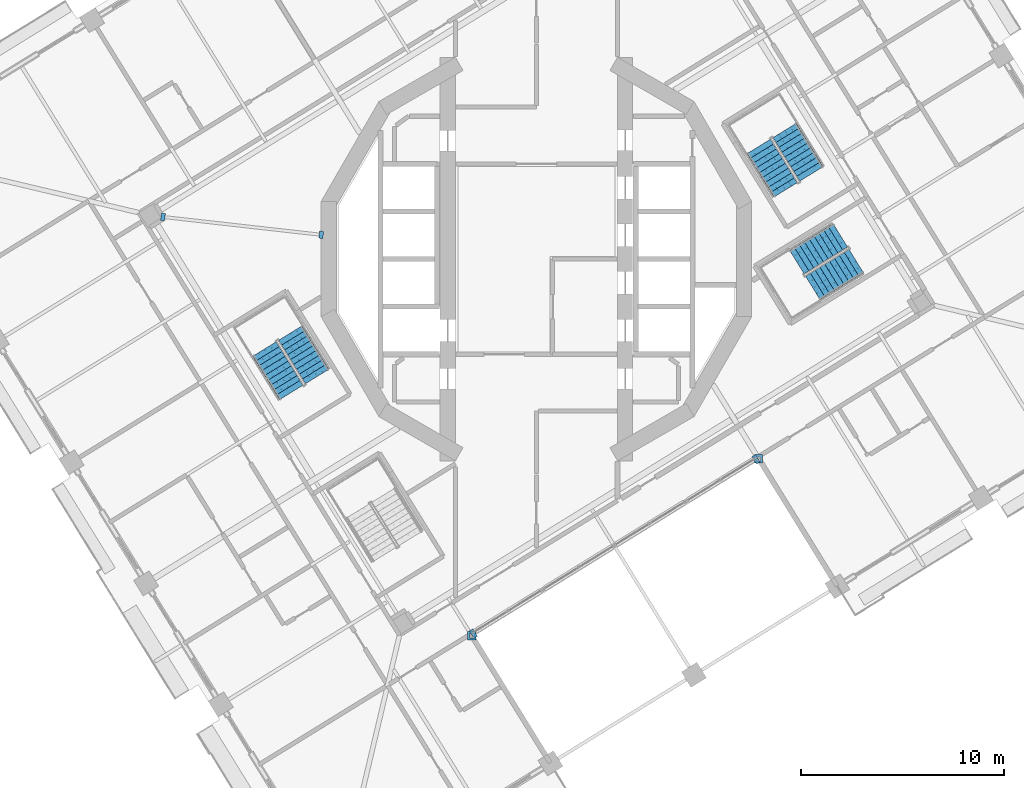
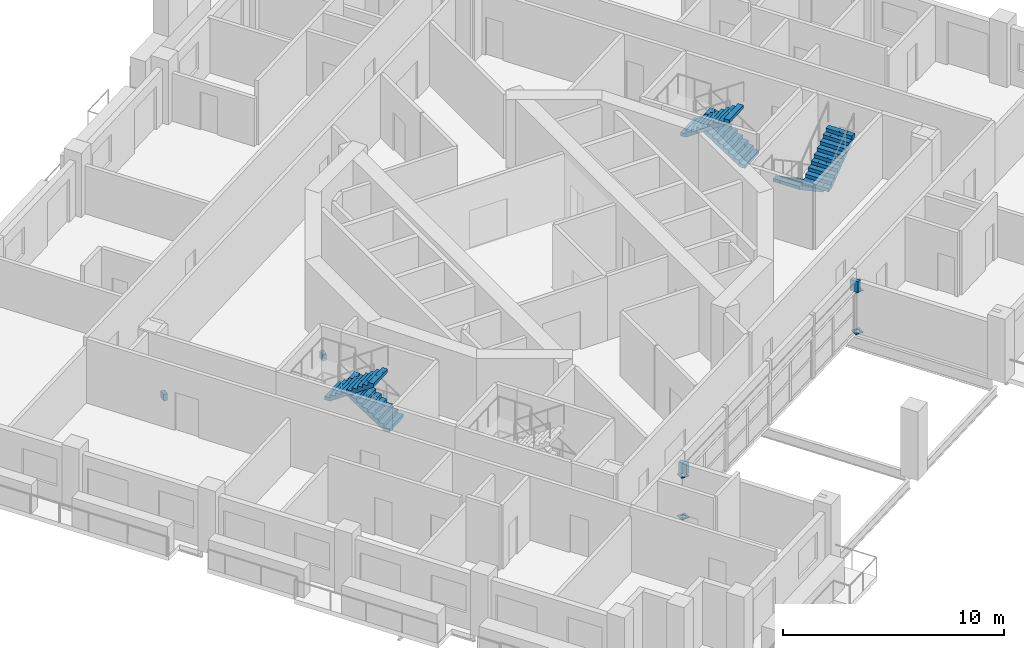
# One storey, part 15 of 22: 8 discrete accessories, 6 stair flights, 3 elements without a shape of their own.
"""IFC4 building model written with IfcOpenShell, lengths in metres."""

import ifcopenshell
import ifcopenshell.guid

model = None  # the IFC model being written
_history = None  # IfcOwnerHistory: only IFC2X3 demands one
_inside = {}  # id of a spatial element -> (the spatial element, [elements in it])
_under = {}  # id of a project, library or spatial element -> (it, [spatial elements below it])
_declared = {}  # id of a project -> (the project, [libraries it declares])
_typed = {}  # id of a type object -> (the type object, [elements of that type])
_made_of = {}  # id of a material, layer set ... -> (it, [elements and type objects made of it])


def new_model(schema):
    """Start an empty IFC model of exactly this schema.

    Asked for "IFC4X3", IfcOpenShell would pick the latest addendum, in which some entities
    have other attributes; the version numbers below select the first issue.
    IFC2X3 requires an IfcOwnerHistory on every rooted entity: one is made here for all.
    """
    global model, _history
    if schema == "IFC4X3":
        model = ifcopenshell.file(schema_version=(4, 3, 0, 0))
    else:
        model = ifcopenshell.file(schema=schema)
    _inside.clear()
    _under.clear()
    _declared.clear()
    _typed.clear()
    _made_of.clear()
    _history = None
    if model.schema == "IFC2X3":
        org = make("IfcOrganization", Name="unknown")
        user = make(
            "IfcPersonAndOrganization",
            ThePerson=make("IfcPerson", FamilyName="unknown"),
            TheOrganization=org,
        )
        app = make(
            "IfcApplication",
            ApplicationDeveloper=org,
            Version="unknown",
            ApplicationFullName="unknown",
            ApplicationIdentifier="unknown",
        )
        _history = make(
            "IfcOwnerHistory",
            OwningUser=user,
            OwningApplication=app,
            ChangeAction="ADDED",
            CreationDate=0,
        )
    return model


def make(cls, **values):
    """One entity of the class cls with the attributes given. An attribute that is None is left unset."""
    return model.create_entity(
        cls, **{name: value for name, value in values.items() if value is not None}
    )


def rooted(cls, **values):
    """An entity with a GlobalId (a new one), such as an element, a storey or a relation."""
    return make(cls, GlobalId=ifcopenshell.guid.new(), OwnerHistory=_history, **values)


def si_unit(unit_type, name, prefix=None):
    """IfcSIUnit, for example si_unit("LENGTHUNIT", "METRE", prefix="MILLI")."""
    return make("IfcSIUnit", UnitType=unit_type, Prefix=prefix, Name=name)


def assignment(units):
    """IfcUnitAssignment: the units of a project."""
    return None if units is None else make("IfcUnitAssignment", Units=units)


def point(xyz):
    """IfcCartesianPoint."""
    return None if xyz is None else make("IfcCartesianPoint", Coordinates=xyz)


def direction(xyz):
    """IfcDirection."""
    return None if xyz is None else make("IfcDirection", DirectionRatios=xyz)


def frame(location, z_axis=None, x_axis=None):
    """IfcAxis2Placement3D, a coordinate frame: its origin and axes. An axis left out is left unset."""
    return make(
        "IfcAxis2Placement3D",
        Location=point(location),
        Axis=direction(z_axis),
        RefDirection=direction(x_axis),
    )


def origin():
    """The frame at (0, 0, 0) with its axes left unset."""
    return frame((0.0, 0.0, 0.0))


def place(relative_to, where):
    """IfcLocalPlacement: puts the frame where relative to a parent placement (None: the world)."""
    return make(
        "IfcLocalPlacement", PlacementRelTo=relative_to, RelativePlacement=where
    )


def context(
    kind, dimensions, precision=None, world=None, true_north=None, identifier=None
):
    """IfcGeometricRepresentationContext, for example the 3D "Model" context."""
    return make(
        "IfcGeometricRepresentationContext",
        ContextIdentifier=identifier,
        ContextType=kind,
        CoordinateSpaceDimension=dimensions,
        Precision=precision,
        WorldCoordinateSystem=world,
        TrueNorth=true_north,
    )


def subcontext(parent, identifier, kind, view, scale=None):
    """IfcGeometricRepresentationSubContext, for example "Body" below "Model"."""
    return make(
        "IfcGeometricRepresentationSubContext",
        ContextIdentifier=identifier,
        ContextType=kind,
        ParentContext=parent,
        TargetScale=scale,
        TargetView=view,
    )


def project(units=None, contexts=None):
    """IfcProject with its units and contexts."""
    return rooted(
        "IfcProject",
        Name="project",
        RepresentationContexts=contexts,
        UnitsInContext=assignment(units),
    )


def spatial(cls, under=None, at=None, **own):
    """A site, building, storey or space (cls), placed at a placement, below another one or the project."""
    s = rooted(cls, ObjectPlacement=at, **own)
    if under is not None:
        _under.setdefault(under.id(), (under, []))[1].append(s)
    return s


def polyline(points):
    """IfcPolyline through the points."""
    return make("IfcPolyline", Points=[point(p) for p in points])


def outline(outer, holes=None, kind="AREA"):
    """IfcArbitraryClosedProfileDef: a profile drawn as a closed curve; with holes, ...WithVoids."""
    if holes is None:
        return make("IfcArbitraryClosedProfileDef", ProfileType=kind, OuterCurve=outer)
    return make(
        "IfcArbitraryProfileDefWithVoids",
        ProfileType=kind,
        OuterCurve=outer,
        InnerCurves=holes,
    )


def extrude(swept, where, along, depth):
    """IfcExtrudedAreaSolid: the profile swept, set in the frame where, extruded along a direction by depth."""
    return make(
        "IfcExtrudedAreaSolid",
        SweptArea=swept,
        Position=where,
        ExtrudedDirection=direction(along),
        Depth=depth,
    )


def shape(context_of_items, identifier, shape_type, items):
    """IfcShapeRepresentation: the items that make up one representation, for example the "Body"."""
    return make(
        "IfcShapeRepresentation",
        ContextOfItems=context_of_items,
        RepresentationIdentifier=identifier,
        RepresentationType=shape_type,
        Items=items,
    )


def material(Name=None, Category=None):
    """IfcMaterial."""
    return make("IfcMaterial", Name=Name, Category=Category)


def layer(
    of_material, thickness, ventilated=None, Name=None, Category=None, Priority=None
):
    """IfcMaterialLayer: one layer of a wall or slab, of a material (None: an air gap)."""
    return make(
        "IfcMaterialLayer",
        Material=of_material,
        LayerThickness=thickness,
        IsVentilated=ventilated,
        Name=Name,
        Category=Category,
        Priority=Priority,
    )


def layer_set(layers, Name=None):
    """IfcMaterialLayerSet."""
    return make("IfcMaterialLayerSet", MaterialLayers=layers, LayerSetName=Name)


def made_of(thing, what):
    """Note that an element or type object is made of a material, layer set ...; save() writes the relation."""
    if what is not None:
        _made_of.setdefault(what.id(), (what, []))[1].append(thing)
    return thing


def type_object(cls, material=None, **own):
    """A type object (cls), such as IfcWallType, which elements share."""
    return made_of(rooted(cls, **own), material)


def element(
    cls,
    number,
    at=None,
    inside=None,
    cuts=None,
    type_object=None,
    material=None,
    context=None,
    identifier="Body",
    shape_type=None,
    held_by="IfcProductDefinitionShape",
    body=None,
    shapes=None,
    **own,
):
    """One element of the class cls, such as IfcWall. Its Tag is "e" and its number.

    at: its placement. inside: the storey or other place that contains it. cuts: it is an
    opening in that element (IfcRelVoidsElement). A single representation is given by context,
    identifier, shape_type and body (its items); several are given by shapes. held_by: the class
    of the entity that holds the representations. save() writes the other relations.
    """
    e = rooted(cls, Tag="e%d" % number, ObjectPlacement=at, **own)
    if body is not None:
        shapes = [shape(context, identifier, shape_type, body)]
    if shapes is not None:
        e.Representation = make(held_by, Representations=shapes)
    if inside is not None:
        _inside.setdefault(inside.id(), (inside, []))[1].append(e)
    if cuts is not None:
        rooted(
            "IfcRelVoidsElement", RelatingBuildingElement=cuts, RelatedOpeningElement=e
        )
    if type_object is not None:
        _typed.setdefault(type_object.id(), (type_object, []))[1].append(e)
    return made_of(e, material)


def aggregate(whole, parts):
    """IfcRelAggregates: a whole, such as a stair, and the parts it consists of."""
    return rooted("IfcRelAggregates", RelatingObject=whole, RelatedObjects=parts)


def save(model, path):
    """Write the relations noted so far, then the file.

    IfcRelAggregates (storeys below a building ...), IfcRelContainedInSpatialStructure (elements
    in a storey), IfcRelDefinesByType, IfcRelAssociatesMaterial and IfcRelDeclares: one each for
    every whole, place, type object, material and project.
    """
    for whole, parts in _under.values():
        aggregate(whole, parts)
    for where, things in _inside.values():
        rooted(
            "IfcRelContainedInSpatialStructure",
            RelatedElements=things,
            RelatingStructure=where,
        )
    for kind, things in _typed.values():
        rooted("IfcRelDefinesByType", RelatedObjects=things, RelatingType=kind)
    for what, things in _made_of.values():
        rooted("IfcRelAssociatesMaterial", RelatedObjects=things, RelatingMaterial=what)
    for by, libraries in _declared.values():
        rooted("IfcRelDeclares", RelatingContext=by, RelatedDefinitions=libraries)
    model.write(path)


model = new_model("IFC4")

# Units and contexts
model_context = context("Model", 3, precision=1e-05, world=origin(), true_north=direction((0.0, 1.0)))
body_context = subcontext(model_context, "Body", "Model", "MODEL_VIEW")
ifc_project = project(units=[si_unit("LENGTHUNIT", "METRE"), si_unit("AREAUNIT", "SQUARE_METRE"), si_unit("VOLUMEUNIT", "CUBIC_METRE"), si_unit("PLANEANGLEUNIT", "RADIAN"), si_unit("MASSUNIT", "GRAM", prefix="KILO")], contexts=[model_context])

# Site, building, storey
site_placement = place(None, origin())
site = spatial("IfcSite", under=ifc_project, at=site_placement, CompositionType="ELEMENT")
building_placement = place(site_placement, origin())
building = spatial("IfcBuilding", under=site, at=building_placement, Name="Cantera Rosa Tower", CompositionType="ELEMENT")
storey_placement = place(building_placement, frame((0.0, 0.0, 178.0)))
storey = spatial("IfcBuildingStorey", under=building, at=storey_placement, Name="L39", CompositionType="ELEMENT", Elevation=178.0)

# Stair, stair flights
ifc_material_1 = material(Name="Concrete C35/45", Category="concrete")
stair_type = type_object("IfcStairType", Name="EXIT STAIR 1350 DOGLEG", PredefinedType="HALF_TURN_STAIR", material=ifc_material_1)
stair_1_placement = place(storey_placement, origin())
stair_1 = element("IfcStair", 1, at=stair_1_placement, inside=storey, type_object=stair_type, Name="L39 ST-31", PredefinedType="HALF_TURN_STAIR")
ifc_material_2 = material(Name="Concrete C35/45", Category="concrete")
stair_flight_type = type_object("IfcStairFlightType", Name="STAIR FLIGHT 1350 R20x190", PredefinedType="STRAIGHT", material=ifc_material_2)
stair_flight_1_placement = place(storey_placement, frame((13.5732421875, 4.2021484375, 0.0), z_axis=(0.0, 0.0, 1.0), x_axis=(-0.524976585286, 0.851116669383, 0.0)))
stair_flight_1 = element("IfcStairFlight", 2, at=stair_flight_1_placement, type_object=stair_flight_type, Name="ST-31 flight 1", NumberOfRisers=10, NumberOfTreads=9, PredefinedType="STRAIGHT", RiserHeight=0.19, TreadLength=0.28, context=body_context, shape_type="SweptSolid", body=[
    extrude(outline(polyline([(0.0, 0.0), (0.0, 0.18994140625), (0.280029296875, 0.18994140625), (0.280029296875, 0.3798828125), (0.56005859375, 0.3798828125), (0.56005859375, 0.570068359375), (0.840087890625, 0.570068359375), (0.840087890625, 0.760009765625), (1.1201171875, 0.760009765625), (1.1201171875, 0.949951171875), (1.39990234375, 0.949951171875), (1.39990234375, 1.139892578125), (1.679931640625, 1.139892578125), (1.679931640625, 1.330078125), (1.9599609375, 1.330078125), (1.9599609375, 1.52001953125), (2.239990234375, 1.52001953125), (2.239990234375, 1.7099609375), (2.52001953125, 1.7099609375), (2.52001953125, 1.89990234375), (2.52001953125, 1.52880859375), (0.266845703125, 0.0), (0.0, 0.0)])), frame((0.0, 0.675048828125, 0.0), z_axis=(0.0, -1.0, 0.0), x_axis=(1.0, 0.0, 0.0)), (0.0, 0.0, 1.0), 0.3359375),
    extrude(outline(polyline([(0.0, 0.0), (0.0, 0.18994140625), (0.280029296875, 0.18994140625), (0.280029296875, 0.3798828125), (0.56005859375, 0.3798828125), (0.56005859375, 0.570068359375), (0.840087890625, 0.570068359375), (0.840087890625, 0.760009765625), (1.1201171875, 0.760009765625), (1.1201171875, 0.949951171875), (1.39990234375, 0.949951171875), (1.39990234375, 1.139892578125), (1.679931640625, 1.139892578125), (1.679931640625, 1.330078125), (1.9599609375, 1.330078125), (1.9599609375, 1.52001953125), (2.239990234375, 1.52001953125), (2.239990234375, 1.7099609375), (2.52001953125, 1.7099609375), (2.52001953125, 1.89990234375), (2.52001953125, 1.52880859375), (0.266845703125, 0.0), (0.0, 0.0)])), frame((0.0, 0.337158203125, 0.0), z_axis=(0.0, -1.0, 0.0), x_axis=(1.0, 0.0, 0.0)), (0.0, 0.0, 1.0), 0.3359375),
    extrude(outline(polyline([(0.0, 0.0), (0.0, 0.18994140625), (0.280029296875, 0.18994140625), (0.280029296875, 0.3798828125), (0.56005859375, 0.3798828125), (0.56005859375, 0.570068359375), (0.840087890625, 0.570068359375), (0.840087890625, 0.760009765625), (1.1201171875, 0.760009765625), (1.1201171875, 0.949951171875), (1.39990234375, 0.949951171875), (1.39990234375, 1.139892578125), (1.679931640625, 1.139892578125), (1.679931640625, 1.330078125), (1.9599609375, 1.330078125), (1.9599609375, 1.52001953125), (2.239990234375, 1.52001953125), (2.239990234375, 1.7099609375), (2.52001953125, 1.7099609375), (2.52001953125, 1.89990234375), (2.52001953125, 1.52880859375), (0.266845703125, 0.0), (0.0, 0.0)])), frame((0.0, -0.000732421875, 0.0), z_axis=(0.0, -1.0, 0.0), x_axis=(1.0, 0.0, 0.0)), (0.0, 0.0, 1.0), 0.3359375),
    extrude(outline(polyline([(0.0, 0.0), (0.0, 0.18994140625), (0.280029296875, 0.18994140625), (0.280029296875, 0.3798828125), (0.56005859375, 0.3798828125), (0.56005859375, 0.570068359375), (0.840087890625, 0.570068359375), (0.840087890625, 0.760009765625), (1.1201171875, 0.760009765625), (1.1201171875, 0.949951171875), (1.39990234375, 0.949951171875), (1.39990234375, 1.139892578125), (1.679931640625, 1.139892578125), (1.679931640625, 1.330078125), (1.9599609375, 1.330078125), (1.9599609375, 1.52001953125), (2.239990234375, 1.52001953125), (2.239990234375, 1.7099609375), (2.52001953125, 1.7099609375), (2.52001953125, 1.89990234375), (2.52001953125, 1.52880859375), (0.266845703125, 0.0), (0.0, 0.0)])), frame((0.0, -0.338623046875, 0.0), z_axis=(0.0, -1.0, 0.0), x_axis=(1.0, 0.0, 0.0)), (0.0, 0.0, 1.0), 0.3359375),
])
stair_flight_2_placement = place(storey_placement, frame((10.9736328125, 5.5595703125, 1.89990234375), z_axis=(0.0, 0.0, 1.0), x_axis=(0.524976585286, -0.851116669383, 0.0)))
stair_flight_2 = element("IfcStairFlight", 3, at=stair_flight_2_placement, type_object=stair_flight_type, Name="ST-31 flight 2", NumberOfRisers=10, NumberOfTreads=9, PredefinedType="STRAIGHT", RiserHeight=0.19, TreadLength=0.28, context=body_context, shape_type="SweptSolid", body=[
    extrude(outline(polyline([(0.0, 0.0), (0.0, 0.18994140625), (0.280029296875, 0.18994140625), (0.280029296875, 0.3798828125), (0.56005859375, 0.3798828125), (0.56005859375, 0.570068359375), (0.840087890625, 0.570068359375), (0.840087890625, 0.760009765625), (1.1201171875, 0.760009765625), (1.1201171875, 0.949951171875), (1.39990234375, 0.949951171875), (1.39990234375, 1.139892578125), (1.679931640625, 1.139892578125), (1.679931640625, 1.330078125), (1.9599609375, 1.330078125), (1.9599609375, 1.52001953125), (2.239990234375, 1.52001953125), (2.239990234375, 1.7099609375), (2.52001953125, 1.7099609375), (2.52001953125, 1.89990234375), (2.52001953125, 1.52880859375), (0.266845703125, 0.0), (0.0, 0.0)])), frame((0.0, 0.675048828125, 0.0), z_axis=(0.0, -1.0, 0.0), x_axis=(1.0, 0.0, 0.0)), (0.0, 0.0, 1.0), 0.3359375),
    extrude(outline(polyline([(0.0, 0.0), (0.0, 0.18994140625), (0.280029296875, 0.18994140625), (0.280029296875, 0.3798828125), (0.56005859375, 0.3798828125), (0.56005859375, 0.570068359375), (0.840087890625, 0.570068359375), (0.840087890625, 0.760009765625), (1.1201171875, 0.760009765625), (1.1201171875, 0.949951171875), (1.39990234375, 0.949951171875), (1.39990234375, 1.139892578125), (1.679931640625, 1.139892578125), (1.679931640625, 1.330078125), (1.9599609375, 1.330078125), (1.9599609375, 1.52001953125), (2.239990234375, 1.52001953125), (2.239990234375, 1.7099609375), (2.52001953125, 1.7099609375), (2.52001953125, 1.89990234375), (2.52001953125, 1.52880859375), (0.266845703125, 0.0), (0.0, 0.0)])), frame((0.0, 0.337158203125, 0.0), z_axis=(0.0, -1.0, 0.0), x_axis=(1.0, 0.0, 0.0)), (0.0, 0.0, 1.0), 0.3359375),
    extrude(outline(polyline([(0.0, 0.0), (0.0, 0.18994140625), (0.280029296875, 0.18994140625), (0.280029296875, 0.3798828125), (0.56005859375, 0.3798828125), (0.56005859375, 0.570068359375), (0.840087890625, 0.570068359375), (0.840087890625, 0.760009765625), (1.1201171875, 0.760009765625), (1.1201171875, 0.949951171875), (1.39990234375, 0.949951171875), (1.39990234375, 1.139892578125), (1.679931640625, 1.139892578125), (1.679931640625, 1.330078125), (1.9599609375, 1.330078125), (1.9599609375, 1.52001953125), (2.239990234375, 1.52001953125), (2.239990234375, 1.7099609375), (2.52001953125, 1.7099609375), (2.52001953125, 1.89990234375), (2.52001953125, 1.52880859375), (0.266845703125, 0.0), (0.0, 0.0)])), frame((0.0, -0.000732421875, 0.0), z_axis=(0.0, -1.0, 0.0), x_axis=(1.0, 0.0, 0.0)), (0.0, 0.0, 1.0), 0.3359375),
    extrude(outline(polyline([(0.0, 0.0), (0.0, 0.18994140625), (0.280029296875, 0.18994140625), (0.280029296875, 0.3798828125), (0.56005859375, 0.3798828125), (0.56005859375, 0.570068359375), (0.840087890625, 0.570068359375), (0.840087890625, 0.760009765625), (1.1201171875, 0.760009765625), (1.1201171875, 0.949951171875), (1.39990234375, 0.949951171875), (1.39990234375, 1.139892578125), (1.679931640625, 1.139892578125), (1.679931640625, 1.330078125), (1.9599609375, 1.330078125), (1.9599609375, 1.52001953125), (2.239990234375, 1.52001953125), (2.239990234375, 1.7099609375), (2.52001953125, 1.7099609375), (2.52001953125, 1.89990234375), (2.52001953125, 1.52880859375), (0.266845703125, 0.0), (0.0, 0.0)])), frame((0.0, -0.338623046875, 0.0), z_axis=(0.0, -1.0, 0.0), x_axis=(1.0, 0.0, 0.0)), (0.0, 0.0, 1.0), 0.3359375),
])
aggregate(stair_1, [stair_flight_1, stair_flight_2])

stair_2_placement = place(storey_placement, origin())
stair_2 = element("IfcStair", 4, at=stair_2_placement, inside=storey, type_object=stair_type, Name="L39 ST-32", PredefinedType="HALF_TURN_STAIR")
stair_flight_3_placement = place(storey_placement, frame((-10.82666015625, -5.7978515625, 0.0), z_axis=(0.0, 0.0, 1.0), x_axis=(-0.524976585286, 0.851116669383, 0.0)))
stair_flight_3 = element("IfcStairFlight", 5, at=stair_flight_3_placement, type_object=stair_flight_type, Name="ST-32 flight 1", NumberOfRisers=10, NumberOfTreads=9, PredefinedType="STRAIGHT", RiserHeight=0.19, TreadLength=0.28, context=body_context, shape_type="SweptSolid", body=[
    extrude(outline(polyline([(0.0, 0.0), (0.0, 0.18994140625), (0.280029296875, 0.18994140625), (0.280029296875, 0.3798828125), (0.56005859375, 0.3798828125), (0.56005859375, 0.570068359375), (0.840087890625, 0.570068359375), (0.840087890625, 0.760009765625), (1.1201171875, 0.760009765625), (1.1201171875, 0.949951171875), (1.39990234375, 0.949951171875), (1.39990234375, 1.139892578125), (1.679931640625, 1.139892578125), (1.679931640625, 1.330078125), (1.9599609375, 1.330078125), (1.9599609375, 1.52001953125), (2.239990234375, 1.52001953125), (2.239990234375, 1.7099609375), (2.52001953125, 1.7099609375), (2.52001953125, 1.89990234375), (2.52001953125, 1.52880859375), (0.266845703125, 0.0), (0.0, 0.0)])), frame((0.0, 0.675048828125, 0.0), z_axis=(0.0, -1.0, 0.0), x_axis=(1.0, 0.0, 0.0)), (0.0, 0.0, 1.0), 0.3359375),
    extrude(outline(polyline([(0.0, 0.0), (0.0, 0.18994140625), (0.280029296875, 0.18994140625), (0.280029296875, 0.3798828125), (0.56005859375, 0.3798828125), (0.56005859375, 0.570068359375), (0.840087890625, 0.570068359375), (0.840087890625, 0.760009765625), (1.1201171875, 0.760009765625), (1.1201171875, 0.949951171875), (1.39990234375, 0.949951171875), (1.39990234375, 1.139892578125), (1.679931640625, 1.139892578125), (1.679931640625, 1.330078125), (1.9599609375, 1.330078125), (1.9599609375, 1.52001953125), (2.239990234375, 1.52001953125), (2.239990234375, 1.7099609375), (2.52001953125, 1.7099609375), (2.52001953125, 1.89990234375), (2.52001953125, 1.52880859375), (0.266845703125, 0.0), (0.0, 0.0)])), frame((0.0, 0.337158203125, 0.0), z_axis=(0.0, -1.0, 0.0), x_axis=(1.0, 0.0, 0.0)), (0.0, 0.0, 1.0), 0.3359375),
    extrude(outline(polyline([(0.0, 0.0), (0.0, 0.18994140625), (0.280029296875, 0.18994140625), (0.280029296875, 0.3798828125), (0.56005859375, 0.3798828125), (0.56005859375, 0.570068359375), (0.840087890625, 0.570068359375), (0.840087890625, 0.760009765625), (1.1201171875, 0.760009765625), (1.1201171875, 0.949951171875), (1.39990234375, 0.949951171875), (1.39990234375, 1.139892578125), (1.679931640625, 1.139892578125), (1.679931640625, 1.330078125), (1.9599609375, 1.330078125), (1.9599609375, 1.52001953125), (2.239990234375, 1.52001953125), (2.239990234375, 1.7099609375), (2.52001953125, 1.7099609375), (2.52001953125, 1.89990234375), (2.52001953125, 1.52880859375), (0.266845703125, 0.0), (0.0, 0.0)])), frame((0.0, -0.000732421875, 0.0), z_axis=(0.0, -1.0, 0.0), x_axis=(1.0, 0.0, 0.0)), (0.0, 0.0, 1.0), 0.3359375),
    extrude(outline(polyline([(0.0, 0.0), (0.0, 0.18994140625), (0.280029296875, 0.18994140625), (0.280029296875, 0.3798828125), (0.56005859375, 0.3798828125), (0.56005859375, 0.570068359375), (0.840087890625, 0.570068359375), (0.840087890625, 0.760009765625), (1.1201171875, 0.760009765625), (1.1201171875, 0.949951171875), (1.39990234375, 0.949951171875), (1.39990234375, 1.139892578125), (1.679931640625, 1.139892578125), (1.679931640625, 1.330078125), (1.9599609375, 1.330078125), (1.9599609375, 1.52001953125), (2.239990234375, 1.52001953125), (2.239990234375, 1.7099609375), (2.52001953125, 1.7099609375), (2.52001953125, 1.89990234375), (2.52001953125, 1.52880859375), (0.266845703125, 0.0), (0.0, 0.0)])), frame((0.0, -0.338623046875, 0.0), z_axis=(0.0, -1.0, 0.0), x_axis=(1.0, 0.0, 0.0)), (0.0, 0.0, 1.0), 0.3359375),
])
stair_flight_4_placement = place(storey_placement, frame((-13.42626953125, -4.4404296875, 1.89990234375), z_axis=(0.0, 0.0, 1.0), x_axis=(0.524976585286, -0.851116669383, 0.0)))
stair_flight_4 = element("IfcStairFlight", 6, at=stair_flight_4_placement, type_object=stair_flight_type, Name="ST-32 flight 2", NumberOfRisers=10, NumberOfTreads=9, PredefinedType="STRAIGHT", RiserHeight=0.19, TreadLength=0.28, context=body_context, shape_type="SweptSolid", body=[
    extrude(outline(polyline([(0.0, 0.0), (0.0, 0.18994140625), (0.280029296875, 0.18994140625), (0.280029296875, 0.3798828125), (0.56005859375, 0.3798828125), (0.56005859375, 0.570068359375), (0.840087890625, 0.570068359375), (0.840087890625, 0.760009765625), (1.1201171875, 0.760009765625), (1.1201171875, 0.949951171875), (1.39990234375, 0.949951171875), (1.39990234375, 1.139892578125), (1.679931640625, 1.139892578125), (1.679931640625, 1.330078125), (1.9599609375, 1.330078125), (1.9599609375, 1.52001953125), (2.239990234375, 1.52001953125), (2.239990234375, 1.7099609375), (2.52001953125, 1.7099609375), (2.52001953125, 1.89990234375), (2.52001953125, 1.52880859375), (0.266845703125, 0.0), (0.0, 0.0)])), frame((0.0, 0.675048828125, 0.0), z_axis=(0.0, -1.0, 0.0), x_axis=(1.0, 0.0, 0.0)), (0.0, 0.0, 1.0), 0.3359375),
    extrude(outline(polyline([(0.0, 0.0), (0.0, 0.18994140625), (0.280029296875, 0.18994140625), (0.280029296875, 0.3798828125), (0.56005859375, 0.3798828125), (0.56005859375, 0.570068359375), (0.840087890625, 0.570068359375), (0.840087890625, 0.760009765625), (1.1201171875, 0.760009765625), (1.1201171875, 0.949951171875), (1.39990234375, 0.949951171875), (1.39990234375, 1.139892578125), (1.679931640625, 1.139892578125), (1.679931640625, 1.330078125), (1.9599609375, 1.330078125), (1.9599609375, 1.52001953125), (2.239990234375, 1.52001953125), (2.239990234375, 1.7099609375), (2.52001953125, 1.7099609375), (2.52001953125, 1.89990234375), (2.52001953125, 1.52880859375), (0.266845703125, 0.0), (0.0, 0.0)])), frame((0.0, 0.337158203125, 0.0), z_axis=(0.0, -1.0, 0.0), x_axis=(1.0, 0.0, 0.0)), (0.0, 0.0, 1.0), 0.3359375),
    extrude(outline(polyline([(0.0, 0.0), (0.0, 0.18994140625), (0.280029296875, 0.18994140625), (0.280029296875, 0.3798828125), (0.56005859375, 0.3798828125), (0.56005859375, 0.570068359375), (0.840087890625, 0.570068359375), (0.840087890625, 0.760009765625), (1.1201171875, 0.760009765625), (1.1201171875, 0.949951171875), (1.39990234375, 0.949951171875), (1.39990234375, 1.139892578125), (1.679931640625, 1.139892578125), (1.679931640625, 1.330078125), (1.9599609375, 1.330078125), (1.9599609375, 1.52001953125), (2.239990234375, 1.52001953125), (2.239990234375, 1.7099609375), (2.52001953125, 1.7099609375), (2.52001953125, 1.89990234375), (2.52001953125, 1.52880859375), (0.266845703125, 0.0), (0.0, 0.0)])), frame((0.0, -0.000732421875, 0.0), z_axis=(0.0, -1.0, 0.0), x_axis=(1.0, 0.0, 0.0)), (0.0, 0.0, 1.0), 0.3359375),
    extrude(outline(polyline([(0.0, 0.0), (0.0, 0.18994140625), (0.280029296875, 0.18994140625), (0.280029296875, 0.3798828125), (0.56005859375, 0.3798828125), (0.56005859375, 0.570068359375), (0.840087890625, 0.570068359375), (0.840087890625, 0.760009765625), (1.1201171875, 0.760009765625), (1.1201171875, 0.949951171875), (1.39990234375, 0.949951171875), (1.39990234375, 1.139892578125), (1.679931640625, 1.139892578125), (1.679931640625, 1.330078125), (1.9599609375, 1.330078125), (1.9599609375, 1.52001953125), (2.239990234375, 1.52001953125), (2.239990234375, 1.7099609375), (2.52001953125, 1.7099609375), (2.52001953125, 1.89990234375), (2.52001953125, 1.52880859375), (0.266845703125, 0.0), (0.0, 0.0)])), frame((0.0, -0.338623046875, 0.0), z_axis=(0.0, -1.0, 0.0), x_axis=(1.0, 0.0, 0.0)), (0.0, 0.0, 1.0), 0.3359375),
])
aggregate(stair_2, [stair_flight_3, stair_flight_4])

stair_3_placement = place(storey_placement, origin())
stair_3 = element("IfcStair", 7, at=stair_3_placement, inside=storey, type_object=stair_type, Name="L39 ST-34", PredefinedType="HALF_TURN_STAIR")
stair_flight_5_placement = place(storey_placement, frame((14.997802734375, 1.17333984375, 0.0), z_axis=(0.0, 0.0, 1.0), x_axis=(-0.851116669383, -0.524976585286, 0.0)))
stair_flight_5 = element("IfcStairFlight", 8, at=stair_flight_5_placement, type_object=stair_flight_type, Name="ST-34 flight 1", NumberOfRisers=10, NumberOfTreads=9, PredefinedType="STRAIGHT", RiserHeight=0.19, TreadLength=0.28, context=body_context, shape_type="SweptSolid", body=[
    extrude(outline(polyline([(0.0, 0.0), (0.0, 0.18994140625), (0.280029296875, 0.18994140625), (0.280029296875, 0.3798828125), (0.56005859375, 0.3798828125), (0.56005859375, 0.570068359375), (0.840087890625, 0.570068359375), (0.840087890625, 0.760009765625), (1.1201171875, 0.760009765625), (1.1201171875, 0.949951171875), (1.39990234375, 0.949951171875), (1.39990234375, 1.139892578125), (1.679931640625, 1.139892578125), (1.679931640625, 1.330078125), (1.9599609375, 1.330078125), (1.9599609375, 1.52001953125), (2.239990234375, 1.52001953125), (2.239990234375, 1.7099609375), (2.52001953125, 1.7099609375), (2.52001953125, 1.89990234375), (2.52001953125, 1.52880859375), (0.266845703125, 0.0), (0.0, 0.0)])), frame((0.0, 0.675048828125, 0.0), z_axis=(0.0, -1.0, 0.0), x_axis=(1.0, 0.0, 0.0)), (0.0, 0.0, 1.0), 0.3359375),
    extrude(outline(polyline([(0.0, 0.0), (0.0, 0.18994140625), (0.280029296875, 0.18994140625), (0.280029296875, 0.3798828125), (0.56005859375, 0.3798828125), (0.56005859375, 0.570068359375), (0.840087890625, 0.570068359375), (0.840087890625, 0.760009765625), (1.1201171875, 0.760009765625), (1.1201171875, 0.949951171875), (1.39990234375, 0.949951171875), (1.39990234375, 1.139892578125), (1.679931640625, 1.139892578125), (1.679931640625, 1.330078125), (1.9599609375, 1.330078125), (1.9599609375, 1.52001953125), (2.239990234375, 1.52001953125), (2.239990234375, 1.7099609375), (2.52001953125, 1.7099609375), (2.52001953125, 1.89990234375), (2.52001953125, 1.52880859375), (0.266845703125, 0.0), (0.0, 0.0)])), frame((0.0, 0.337158203125, 0.0), z_axis=(0.0, -1.0, 0.0), x_axis=(1.0, 0.0, 0.0)), (0.0, 0.0, 1.0), 0.3359375),
    extrude(outline(polyline([(0.0, 0.0), (0.0, 0.18994140625), (0.280029296875, 0.18994140625), (0.280029296875, 0.3798828125), (0.56005859375, 0.3798828125), (0.56005859375, 0.570068359375), (0.840087890625, 0.570068359375), (0.840087890625, 0.760009765625), (1.1201171875, 0.760009765625), (1.1201171875, 0.949951171875), (1.39990234375, 0.949951171875), (1.39990234375, 1.139892578125), (1.679931640625, 1.139892578125), (1.679931640625, 1.330078125), (1.9599609375, 1.330078125), (1.9599609375, 1.52001953125), (2.239990234375, 1.52001953125), (2.239990234375, 1.7099609375), (2.52001953125, 1.7099609375), (2.52001953125, 1.89990234375), (2.52001953125, 1.52880859375), (0.266845703125, 0.0), (0.0, 0.0)])), frame((0.0, -0.000732421875, 0.0), z_axis=(0.0, -1.0, 0.0), x_axis=(1.0, 0.0, 0.0)), (0.0, 0.0, 1.0), 0.3359375),
    extrude(outline(polyline([(0.0, 0.0), (0.0, 0.18994140625), (0.280029296875, 0.18994140625), (0.280029296875, 0.3798828125), (0.56005859375, 0.3798828125), (0.56005859375, 0.570068359375), (0.840087890625, 0.570068359375), (0.840087890625, 0.760009765625), (1.1201171875, 0.760009765625), (1.1201171875, 0.949951171875), (1.39990234375, 0.949951171875), (1.39990234375, 1.139892578125), (1.679931640625, 1.139892578125), (1.679931640625, 1.330078125), (1.9599609375, 1.330078125), (1.9599609375, 1.52001953125), (2.239990234375, 1.52001953125), (2.239990234375, 1.7099609375), (2.52001953125, 1.7099609375), (2.52001953125, 1.89990234375), (2.52001953125, 1.52880859375), (0.266845703125, 0.0), (0.0, 0.0)])), frame((0.0, -0.338623046875, 0.0), z_axis=(0.0, -1.0, 0.0), x_axis=(1.0, 0.0, 0.0)), (0.0, 0.0, 1.0), 0.3359375),
])
stair_flight_6_placement = place(storey_placement, frame((13.640380859375, -1.42626953125, 1.89990234375), z_axis=(0.0, 0.0, 1.0), x_axis=(0.851116669383, 0.524976585286, 0.0)))
stair_flight_6 = element("IfcStairFlight", 9, at=stair_flight_6_placement, type_object=stair_flight_type, Name="ST-34 flight 2", NumberOfRisers=10, NumberOfTreads=9, PredefinedType="STRAIGHT", RiserHeight=0.19, TreadLength=0.28, context=body_context, shape_type="SweptSolid", body=[
    extrude(outline(polyline([(0.0, 0.0), (0.0, 0.18994140625), (0.280029296875, 0.18994140625), (0.280029296875, 0.3798828125), (0.56005859375, 0.3798828125), (0.56005859375, 0.570068359375), (0.840087890625, 0.570068359375), (0.840087890625, 0.760009765625), (1.1201171875, 0.760009765625), (1.1201171875, 0.949951171875), (1.39990234375, 0.949951171875), (1.39990234375, 1.139892578125), (1.679931640625, 1.139892578125), (1.679931640625, 1.330078125), (1.9599609375, 1.330078125), (1.9599609375, 1.52001953125), (2.239990234375, 1.52001953125), (2.239990234375, 1.7099609375), (2.52001953125, 1.7099609375), (2.52001953125, 1.89990234375), (2.52001953125, 1.52880859375), (0.266845703125, 0.0), (0.0, 0.0)])), frame((0.0, 0.675048828125, 0.0), z_axis=(0.0, -1.0, 0.0), x_axis=(1.0, 0.0, 0.0)), (0.0, 0.0, 1.0), 0.3359375),
    extrude(outline(polyline([(0.0, 0.0), (0.0, 0.18994140625), (0.280029296875, 0.18994140625), (0.280029296875, 0.3798828125), (0.56005859375, 0.3798828125), (0.56005859375, 0.570068359375), (0.840087890625, 0.570068359375), (0.840087890625, 0.760009765625), (1.1201171875, 0.760009765625), (1.1201171875, 0.949951171875), (1.39990234375, 0.949951171875), (1.39990234375, 1.139892578125), (1.679931640625, 1.139892578125), (1.679931640625, 1.330078125), (1.9599609375, 1.330078125), (1.9599609375, 1.52001953125), (2.239990234375, 1.52001953125), (2.239990234375, 1.7099609375), (2.52001953125, 1.7099609375), (2.52001953125, 1.89990234375), (2.52001953125, 1.52880859375), (0.266845703125, 0.0), (0.0, 0.0)])), frame((0.0, 0.337158203125, 0.0), z_axis=(0.0, -1.0, 0.0), x_axis=(1.0, 0.0, 0.0)), (0.0, 0.0, 1.0), 0.3359375),
    extrude(outline(polyline([(0.0, 0.0), (0.0, 0.18994140625), (0.280029296875, 0.18994140625), (0.280029296875, 0.3798828125), (0.56005859375, 0.3798828125), (0.56005859375, 0.570068359375), (0.840087890625, 0.570068359375), (0.840087890625, 0.760009765625), (1.1201171875, 0.760009765625), (1.1201171875, 0.949951171875), (1.39990234375, 0.949951171875), (1.39990234375, 1.139892578125), (1.679931640625, 1.139892578125), (1.679931640625, 1.330078125), (1.9599609375, 1.330078125), (1.9599609375, 1.52001953125), (2.239990234375, 1.52001953125), (2.239990234375, 1.7099609375), (2.52001953125, 1.7099609375), (2.52001953125, 1.89990234375), (2.52001953125, 1.52880859375), (0.266845703125, 0.0), (0.0, 0.0)])), frame((0.0, -0.000732421875, 0.0), z_axis=(0.0, -1.0, 0.0), x_axis=(1.0, 0.0, 0.0)), (0.0, 0.0, 1.0), 0.3359375),
    extrude(outline(polyline([(0.0, 0.0), (0.0, 0.18994140625), (0.280029296875, 0.18994140625), (0.280029296875, 0.3798828125), (0.56005859375, 0.3798828125), (0.56005859375, 0.570068359375), (0.840087890625, 0.570068359375), (0.840087890625, 0.760009765625), (1.1201171875, 0.760009765625), (1.1201171875, 0.949951171875), (1.39990234375, 0.949951171875), (1.39990234375, 1.139892578125), (1.679931640625, 1.139892578125), (1.679931640625, 1.330078125), (1.9599609375, 1.330078125), (1.9599609375, 1.52001953125), (2.239990234375, 1.52001953125), (2.239990234375, 1.7099609375), (2.52001953125, 1.7099609375), (2.52001953125, 1.89990234375), (2.52001953125, 1.52880859375), (0.266845703125, 0.0), (0.0, 0.0)])), frame((0.0, -0.338623046875, 0.0), z_axis=(0.0, -1.0, 0.0), x_axis=(1.0, 0.0, 0.0)), (0.0, 0.0, 1.0), 0.3359375),
])
aggregate(stair_3, [stair_flight_5, stair_flight_6])

# Discrete accessories
ifc_material_3 = material(Name="Steel ASTM A992 (Fy 345 MPa)", Category="steel")
ifc_layer = layer(ifc_material_3, 0.0400390625)
ifc_layer_set = layer_set([ifc_layer], Name="STEEL BEARING PLATE 40")
discrete_accessory_type = type_object("IfcDiscreteAccessoryType", Name="STEEL BEARING PLATE 40", PredefinedType="ANCHORPLATE", material=ifc_layer_set)
discrete_accessory_1_placement = place(storey_placement, frame((0.0, 0.0, -0.659912109375)))
element("IfcDiscreteAccessory", 10, at=discrete_accessory_1_placement, inside=storey, type_object=discrete_accessory_type, Name="BEARING PLATE PG-Z3-01 end 1 L39", PredefinedType="ANCHORPLATE", context=body_context, shape_type="SweptSolid", body=[
    extrude(outline(polyline([(-18.316650390625, 2.242919921875), (-18.515380859375, 2.265380859375), (-18.554931640625, 1.91357421875), (-18.356201171875, 1.89111328125), (-18.316650390625, 2.242919921875)])), origin(), (0.0, 0.0, 1.0), 0.35986328125),
])
discrete_accessory_2_placement = place(storey_placement, frame((0.0, 0.0, -0.659912109375)))
element("IfcDiscreteAccessory", 11, at=discrete_accessory_2_placement, inside=storey, type_object=discrete_accessory_type, Name="BEARING PLATE PG-Z3-01 end 2 L39", PredefinedType="ANCHORPLATE", context=body_context, shape_type="SweptSolid", body=[
    extrude(outline(polyline([(-10.744384765625, 1.033203125), (-10.545654296875, 1.0107421875), (-10.506103515625, 1.3623046875), (-10.70458984375, 1.384765625), (-10.744384765625, 1.033203125)])), origin(), (0.0, 0.0, 1.0), 0.35986328125),
])
for number, where, name in (
    (12, (0.0, 0.0, 0.0), "POST PLATE L39-1F"),
    (13, (0.0, 0.0, 2.300048828125), "POST PLATE L39-1T"),
):
    element("IfcDiscreteAccessory", number, at=place(storey_placement, frame(where)), inside=storey, type_object=discrete_accessory_type, Name=name, PredefinedType="ANCHORPLATE", context=body_context, shape_type="SweptSolid", body=[
        extrude(outline(polyline([(-3.3935546875, -18.794921875), (-2.993408203125, -18.794921875), (-2.993408203125, -18.39501953125), (-3.3935546875, -18.39501953125), (-3.3935546875, -18.794921875)]), holes=[polyline([(-3.29345703125, -18.695068359375), (-3.093505859375, -18.695068359375), (-3.093505859375, -18.4951171875), (-3.29345703125, -18.4951171875), (-3.29345703125, -18.695068359375)])]), origin(), (0.0, 0.0, 1.0), 0.0400390625),
    ])
for number, where, name in (
    (14, (0.0, 0.0, 0.0), "POST PLATE L39-2F"),
    (15, (0.0, 0.0, 2.300048828125), "POST PLATE L39-2T"),
):
    element("IfcDiscreteAccessory", number, at=place(storey_placement, frame(where)), inside=storey, type_object=discrete_accessory_type, Name=name, PredefinedType="ANCHORPLATE", context=body_context, shape_type="SweptSolid", body=[
        extrude(outline(polyline([(10.76904296875, -10.059326171875), (11.169189453125, -10.059326171875), (11.169189453125, -9.659423828125), (10.76904296875, -9.659423828125), (10.76904296875, -10.059326171875)]), holes=[polyline([(10.869140625, -9.95947265625), (11.069091796875, -9.95947265625), (11.069091796875, -9.759521484375), (10.869140625, -9.759521484375), (10.869140625, -9.95947265625)])]), origin(), (0.0, 0.0, 1.0), 0.0400390625),
    ])
discrete_accessory_3_placement = place(storey_placement, frame((0.0, 0.0, 2.340087890625)))
element("IfcDiscreteAccessory", 16, at=discrete_accessory_3_placement, inside=storey, type_object=discrete_accessory_type, Name="LINTEL PLATE L39-1", PredefinedType="ANCHORPLATE", context=body_context, shape_type="SweptSolid", body=[
    extrude(outline(polyline([(-3.140625, -18.252197265625), (-3.310791015625, -18.357177734375), (-3.086181640625, -18.721435546875), (-2.916015625, -18.616455078125), (-3.140625, -18.252197265625)])), origin(), (0.0, 0.0, 1.0), 0.601806640625),
])
discrete_accessory_4_placement = place(storey_placement, frame((0.0, 0.0, 2.340087890625)))
element("IfcDiscreteAccessory", 17, at=discrete_accessory_4_placement, inside=storey, type_object=discrete_accessory_type, Name="LINTEL PLATE L39-2", PredefinedType="ANCHORPLATE", context=body_context, shape_type="SweptSolid", body=[
    extrude(outline(polyline([(10.86376953125, -10.1171875), (11.033935546875, -10.01220703125), (10.80908203125, -9.647705078125), (10.638916015625, -9.752685546875), (10.86376953125, -10.1171875)])), origin(), (0.0, 0.0, 1.0), 0.601806640625),
])

save(model, "model.ifc")
